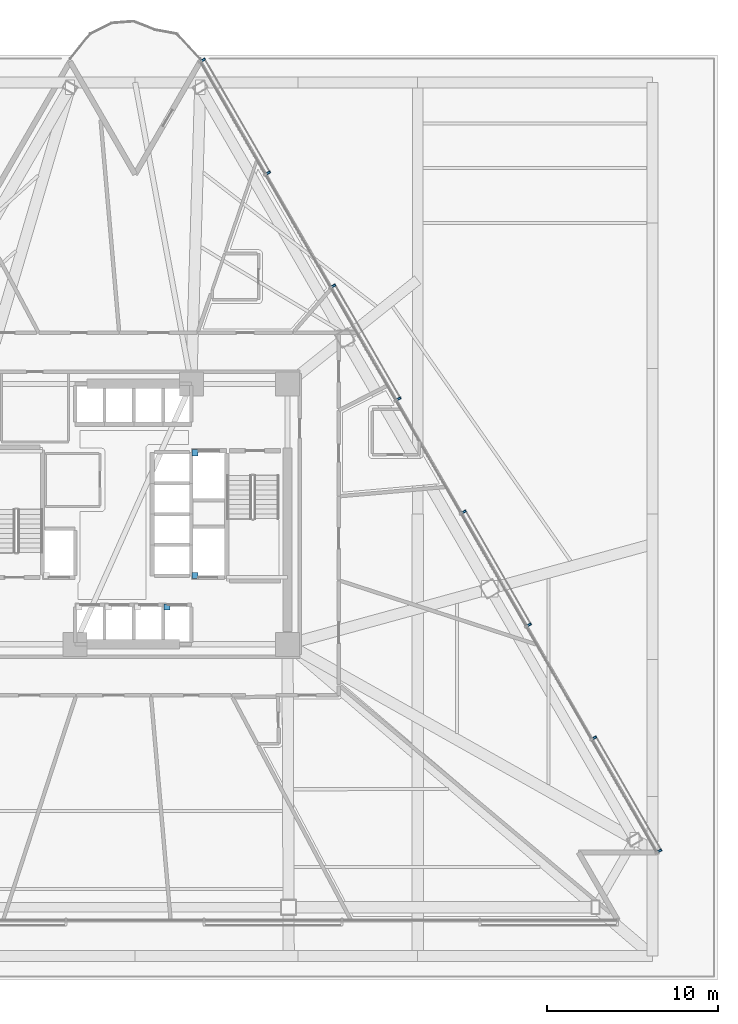
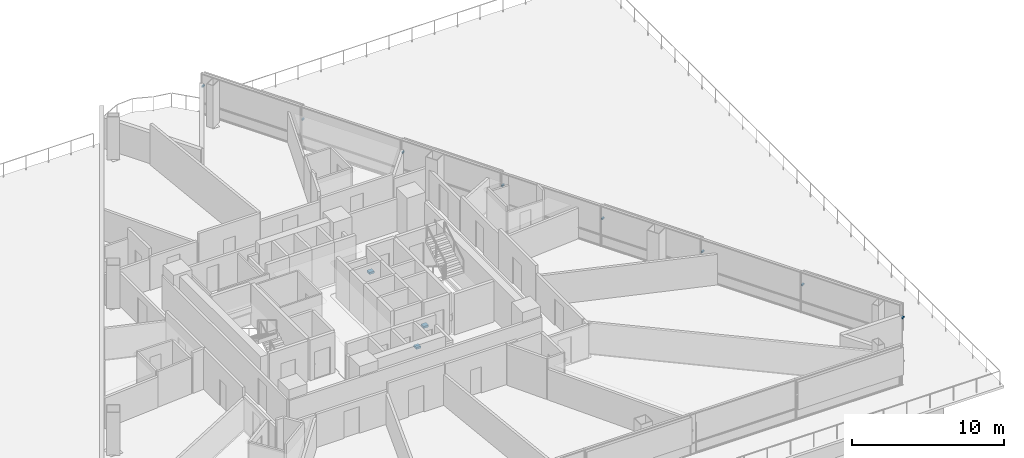
# One storey, part 14 of 19: 11 discrete accessories.
"""IFC4 building model written with IfcOpenShell, lengths in metres."""

from ifc_helpers import new_model, si_unit, direction, frame, origin, origin_2d, place, context, subcontext, project, spatial, rectangle, extrude, material, type_object, element, save


model = new_model("IFC4")

# Units and contexts
model_context = context("Model", 3, precision=1e-05, world=origin(), true_north=direction((0.0, 1.0)))
body_context = subcontext(model_context, "Body", "Model", "MODEL_VIEW")
ifc_project = project(units=[si_unit("LENGTHUNIT", "METRE"), si_unit("AREAUNIT", "SQUARE_METRE"), si_unit("VOLUMEUNIT", "CUBIC_METRE"), si_unit("PLANEANGLEUNIT", "RADIAN"), si_unit("MASSUNIT", "GRAM", prefix="KILO")], contexts=[model_context])

# Site, building, storey
site_placement = place(None, origin())
site = spatial("IfcSite", under=ifc_project, at=site_placement, CompositionType="ELEMENT")
building_placement = place(site_placement, origin())
building = spatial("IfcBuilding", under=site, at=building_placement, Name="Tharavind Bronze Gate", CompositionType="ELEMENT")
storey_placement = place(building_placement, frame((0.0, 0.0, 31.800048828125)))
storey = spatial("IfcBuildingStorey", under=building, at=storey_placement, Name="L06", CompositionType="ELEMENT", Elevation=31.800048828125)

# Discrete accessories
ifc_material_1 = material(Name="Galvanised Steel S355", Category="steel")
discrete_accessory_type_1 = type_object("IfcDiscreteAccessoryType", Name="LIFT GUIDE RAIL BRACKET", PredefinedType="BRACKET", material=ifc_material_1)
for number, where, z_axis, x_axis, name in (
    (1, (1.857421875, -5.419921875, 1.1201171875), (0.0, 0.0, 1.0), (1.0, 0.0, 0.0), "Lift PL4 guide rail bracket at L06"),
    (2, (3.5, 3.580078125, 1.1201171875), (0.0, 0.0, 1.0), (1.0, 0.0, 0.0), "Lift FFL2 guide rail bracket at L06"),
    (3, (3.5, -3.580078125, 1.1201171875), (0.0, 0.0, 1.0), (1.0, 0.0, 0.0), "Lift SVL1 guide rail bracket at L06"),
):
    element("IfcDiscreteAccessory", number, at=place(storey_placement, frame(where, z_axis=z_axis, x_axis=x_axis)), inside=storey, type_object=discrete_accessory_type_1, Name=name, PredefinedType="BRACKET", context=body_context, shape_type="SweptSolid", body=[
        extrude(rectangle(XDim=0.360107421875, YDim=0.360107421875, at=origin_2d()), origin(), (0.0, 0.0, 1.0), 0.159912109375),
    ])
ifc_material_2 = material(Name="Stainless Steel 316", Category="steel")
discrete_accessory_type_2 = type_object("IfcDiscreteAccessoryType", Name="SOLAR SCREEN STANDOFF BRACKET", PredefinedType="BRACKET", material=ifc_material_2)
for number, where, z_axis, x_axis, name in (
    (4, (30.62890625, -19.65087890625, 2.02734375), (0.0, 0.0, 1.0), (-0.500001511499, 0.866024531118, 0.0), "CW-L06-S3 solar screen bracket 1.1"),
    (5, (26.821044921875, -13.055419921875, 2.02734375), (0.0, 0.0, 1.0), (-0.500001511499, 0.866024531118, 0.0), "CW-L06-S3 solar screen bracket 1.2"),
    (6, (23.01318359375, -6.459716796875, 2.02734375), (0.0, 0.0, 1.0), (-0.500001511499, 0.866024531118, 0.0), "CW-L06-S3 solar screen bracket 3.1"),
    (7, (19.205078125, 0.135986328125, 2.02734375), (0.0, 0.0, 1.0), (-0.500001511499, 0.866024531118, 0.0), "CW-L06-S3 solar screen bracket 3.2"),
    (8, (15.397216796875, 6.7314453125, 2.02734375), (0.0, 0.0, 1.0), (-0.500001511499, 0.866024531118, 0.0), "CW-L06-S3 solar screen bracket 5.1"),
    (9, (11.589111328125, 13.326904296875, 2.02734375), (0.0, 0.0, 1.0), (-0.500001511499, 0.866024531118, 0.0), "CW-L06-S3 solar screen bracket 5.2"),
    (10, (7.78125, 19.922607421875, 2.02734375), (0.0, 0.0, 1.0), (-0.500001511499, 0.866024531118, 0.0), "CW-L06-S3 solar screen bracket 7.1"),
    (11, (3.97314453125, 26.518310546875, 2.02734375), (0.0, 0.0, 1.0), (-0.500001511499, 0.866024531118, 0.0), "CW-L06-S3 solar screen bracket 7.2"),
):
    element("IfcDiscreteAccessory", number, at=place(storey_placement, frame(where, z_axis=z_axis, x_axis=x_axis)), inside=storey, type_object=discrete_accessory_type_2, Name=name, PredefinedType="BRACKET", context=body_context, shape_type="SweptSolid", body=[
        extrude(rectangle(XDim=0.1201171875, YDim=0.239990234375, at=origin_2d()), origin(), (0.0, 0.0, 1.0), 0.1201171875),
    ])

save(model, "model.ifc")
